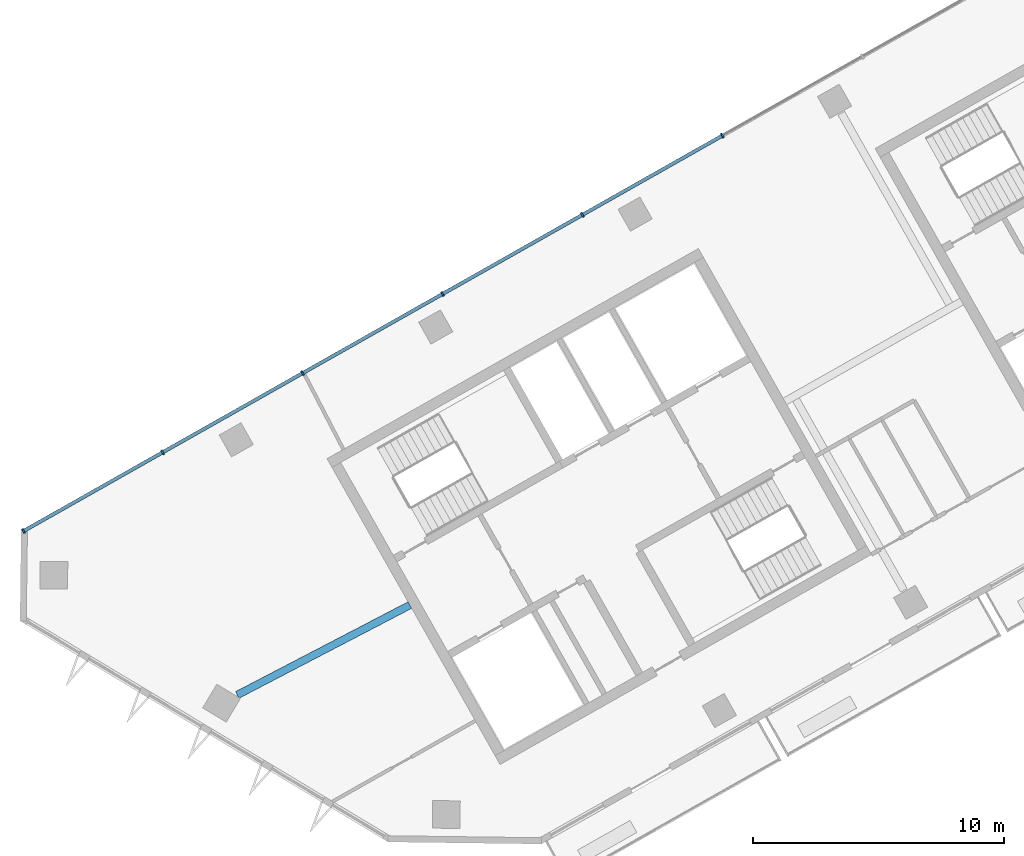
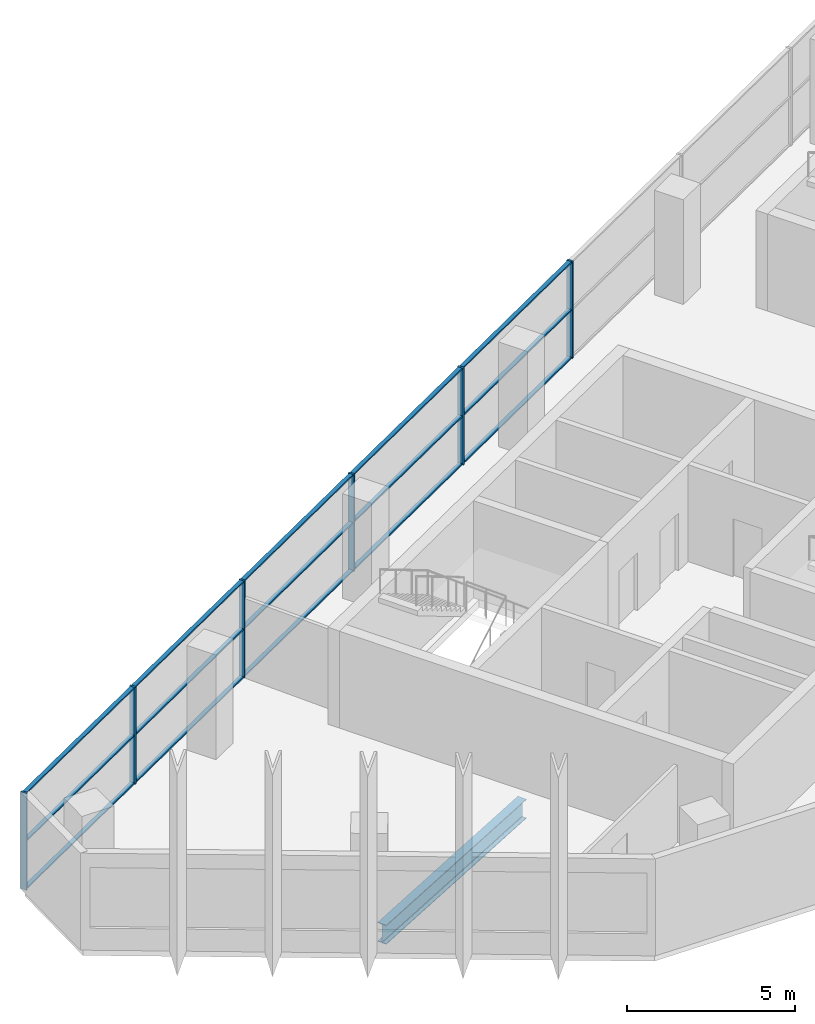
# One storey, part 2 of 10: 21 members, 1 beam, 1 element without a shape of its own.
"""IFC4 building model written with IfcOpenShell, lengths in metres."""

import ifcopenshell
import ifcopenshell.guid

model = None  # the IFC model being written
_history = None  # IfcOwnerHistory: only IFC2X3 demands one
_inside = {}  # id of a spatial element -> (the spatial element, [elements in it])
_under = {}  # id of a project, library or spatial element -> (it, [spatial elements below it])
_declared = {}  # id of a project -> (the project, [libraries it declares])
_typed = {}  # id of a type object -> (the type object, [elements of that type])
_made_of = {}  # id of a material, layer set ... -> (it, [elements and type objects made of it])


def new_model(schema):
    """Start an empty IFC model of exactly this schema.

    Asked for "IFC4X3", IfcOpenShell would pick the latest addendum, in which some entities
    have other attributes; the version numbers below select the first issue.
    IFC2X3 requires an IfcOwnerHistory on every rooted entity: one is made here for all.
    """
    global model, _history
    if schema == "IFC4X3":
        model = ifcopenshell.file(schema_version=(4, 3, 0, 0))
    else:
        model = ifcopenshell.file(schema=schema)
    _inside.clear()
    _under.clear()
    _declared.clear()
    _typed.clear()
    _made_of.clear()
    _history = None
    if model.schema == "IFC2X3":
        org = make("IfcOrganization", Name="unknown")
        user = make(
            "IfcPersonAndOrganization",
            ThePerson=make("IfcPerson", FamilyName="unknown"),
            TheOrganization=org,
        )
        app = make(
            "IfcApplication",
            ApplicationDeveloper=org,
            Version="unknown",
            ApplicationFullName="unknown",
            ApplicationIdentifier="unknown",
        )
        _history = make(
            "IfcOwnerHistory",
            OwningUser=user,
            OwningApplication=app,
            ChangeAction="ADDED",
            CreationDate=0,
        )
    return model


def make(cls, **values):
    """One entity of the class cls with the attributes given. An attribute that is None is left unset."""
    return model.create_entity(
        cls, **{name: value for name, value in values.items() if value is not None}
    )


def rooted(cls, **values):
    """An entity with a GlobalId (a new one), such as an element, a storey or a relation."""
    return make(cls, GlobalId=ifcopenshell.guid.new(), OwnerHistory=_history, **values)


def si_unit(unit_type, name, prefix=None):
    """IfcSIUnit, for example si_unit("LENGTHUNIT", "METRE", prefix="MILLI")."""
    return make("IfcSIUnit", UnitType=unit_type, Prefix=prefix, Name=name)


def assignment(units):
    """IfcUnitAssignment: the units of a project."""
    return None if units is None else make("IfcUnitAssignment", Units=units)


def point(xyz):
    """IfcCartesianPoint."""
    return None if xyz is None else make("IfcCartesianPoint", Coordinates=xyz)


def direction(xyz):
    """IfcDirection."""
    return None if xyz is None else make("IfcDirection", DirectionRatios=xyz)


def frame(location, z_axis=None, x_axis=None):
    """IfcAxis2Placement3D, a coordinate frame: its origin and axes. An axis left out is left unset."""
    return make(
        "IfcAxis2Placement3D",
        Location=point(location),
        Axis=direction(z_axis),
        RefDirection=direction(x_axis),
    )


def frame_2d(location, x_axis=None):
    """IfcAxis2Placement2D, a coordinate frame in the plane: its origin and x axis."""
    return make(
        "IfcAxis2Placement2D", Location=point(location), RefDirection=direction(x_axis)
    )


def origin():
    """The frame at (0, 0, 0) with its axes left unset."""
    return frame((0.0, 0.0, 0.0))


def origin_2d():
    """The frame at (0, 0) in the plane with its x axis left unset."""
    return frame_2d((0.0, 0.0))


def place(relative_to, where):
    """IfcLocalPlacement: puts the frame where relative to a parent placement (None: the world)."""
    return make(
        "IfcLocalPlacement", PlacementRelTo=relative_to, RelativePlacement=where
    )


def context(
    kind, dimensions, precision=None, world=None, true_north=None, identifier=None
):
    """IfcGeometricRepresentationContext, for example the 3D "Model" context."""
    return make(
        "IfcGeometricRepresentationContext",
        ContextIdentifier=identifier,
        ContextType=kind,
        CoordinateSpaceDimension=dimensions,
        Precision=precision,
        WorldCoordinateSystem=world,
        TrueNorth=true_north,
    )


def subcontext(parent, identifier, kind, view, scale=None):
    """IfcGeometricRepresentationSubContext, for example "Body" below "Model"."""
    return make(
        "IfcGeometricRepresentationSubContext",
        ContextIdentifier=identifier,
        ContextType=kind,
        ParentContext=parent,
        TargetScale=scale,
        TargetView=view,
    )


def project(units=None, contexts=None):
    """IfcProject with its units and contexts."""
    return rooted(
        "IfcProject",
        Name="project",
        RepresentationContexts=contexts,
        UnitsInContext=assignment(units),
    )


def spatial(cls, under=None, at=None, **own):
    """A site, building, storey or space (cls), placed at a placement, below another one or the project."""
    s = rooted(cls, ObjectPlacement=at, **own)
    if under is not None:
        _under.setdefault(under.id(), (under, []))[1].append(s)
    return s


def profile(cls, at=None, kind="AREA", **sizes):
    """A parametric profile (cls). Its sizes go by their IFC names, for example OverallWidth=200.0."""
    return make(cls, ProfileType=kind, Position=at, **sizes)


def rectangle(**sizes):
    """IfcRectangleProfileDef."""
    return profile("IfcRectangleProfileDef", **sizes)


def i_section(**sizes):
    """IfcIShapeProfileDef."""
    return profile("IfcIShapeProfileDef", **sizes)


def extrude(swept, where, along, depth):
    """IfcExtrudedAreaSolid: the profile swept, set in the frame where, extruded along a direction by depth."""
    return make(
        "IfcExtrudedAreaSolid",
        SweptArea=swept,
        Position=where,
        ExtrudedDirection=direction(along),
        Depth=depth,
    )


def shape(context_of_items, identifier, shape_type, items):
    """IfcShapeRepresentation: the items that make up one representation, for example the "Body"."""
    return make(
        "IfcShapeRepresentation",
        ContextOfItems=context_of_items,
        RepresentationIdentifier=identifier,
        RepresentationType=shape_type,
        Items=items,
    )


def material(Name=None, Category=None):
    """IfcMaterial."""
    return make("IfcMaterial", Name=Name, Category=Category)


def material_profile(
    of_material, cross_section, Name=None, Category=None, Priority=None
):
    """IfcMaterialProfile: a cross section and its material."""
    return make(
        "IfcMaterialProfile",
        Name=Name,
        Material=of_material,
        Profile=cross_section,
        Priority=Priority,
        Category=Category,
    )


def profile_set(profiles, Name=None, composite=None):
    """IfcMaterialProfileSet."""
    return make(
        "IfcMaterialProfileSet",
        Name=Name,
        MaterialProfiles=profiles,
        CompositeProfile=composite,
    )


def made_of(thing, what):
    """Note that an element or type object is made of a material, layer set ...; save() writes the relation."""
    if what is not None:
        _made_of.setdefault(what.id(), (what, []))[1].append(thing)
    return thing


def type_object(cls, material=None, **own):
    """A type object (cls), such as IfcWallType, which elements share."""
    return made_of(rooted(cls, **own), material)


def element(
    cls,
    number,
    at=None,
    inside=None,
    cuts=None,
    type_object=None,
    material=None,
    context=None,
    identifier="Body",
    shape_type=None,
    held_by="IfcProductDefinitionShape",
    body=None,
    shapes=None,
    **own,
):
    """One element of the class cls, such as IfcWall. Its Tag is "e" and its number.

    at: its placement. inside: the storey or other place that contains it. cuts: it is an
    opening in that element (IfcRelVoidsElement). A single representation is given by context,
    identifier, shape_type and body (its items); several are given by shapes. held_by: the class
    of the entity that holds the representations. save() writes the other relations.
    """
    e = rooted(cls, Tag="e%d" % number, ObjectPlacement=at, **own)
    if body is not None:
        shapes = [shape(context, identifier, shape_type, body)]
    if shapes is not None:
        e.Representation = make(held_by, Representations=shapes)
    if inside is not None:
        _inside.setdefault(inside.id(), (inside, []))[1].append(e)
    if cuts is not None:
        rooted(
            "IfcRelVoidsElement", RelatingBuildingElement=cuts, RelatedOpeningElement=e
        )
    if type_object is not None:
        _typed.setdefault(type_object.id(), (type_object, []))[1].append(e)
    return made_of(e, material)


def aggregate(whole, parts):
    """IfcRelAggregates: a whole, such as a stair, and the parts it consists of."""
    return rooted("IfcRelAggregates", RelatingObject=whole, RelatedObjects=parts)


def save(model, path):
    """Write the relations noted so far, then the file.

    IfcRelAggregates (storeys below a building ...), IfcRelContainedInSpatialStructure (elements
    in a storey), IfcRelDefinesByType, IfcRelAssociatesMaterial and IfcRelDeclares: one each for
    every whole, place, type object, material and project.
    """
    for whole, parts in _under.values():
        aggregate(whole, parts)
    for where, things in _inside.values():
        rooted(
            "IfcRelContainedInSpatialStructure",
            RelatedElements=things,
            RelatingStructure=where,
        )
    for kind, things in _typed.values():
        rooted("IfcRelDefinesByType", RelatedObjects=things, RelatingType=kind)
    for what, things in _made_of.values():
        rooted("IfcRelAssociatesMaterial", RelatedObjects=things, RelatingMaterial=what)
    for by, libraries in _declared.values():
        rooted("IfcRelDeclares", RelatingContext=by, RelatedDefinitions=libraries)
    model.write(path)


model = new_model("IFC4")

# Units and contexts
model_context = context("Model", 3, precision=1e-05, world=origin(), true_north=direction((0.0, 1.0)))
body_context = subcontext(model_context, "Body", "Model", "MODEL_VIEW")
ifc_project = project(units=[si_unit("LENGTHUNIT", "METRE"), si_unit("AREAUNIT", "SQUARE_METRE"), si_unit("VOLUMEUNIT", "CUBIC_METRE"), si_unit("PLANEANGLEUNIT", "RADIAN"), si_unit("MASSUNIT", "GRAM", prefix="KILO")], contexts=[model_context])

# Site, building, storey
site_placement = place(None, origin())
site = spatial("IfcSite", under=ifc_project, at=site_placement, CompositionType="ELEMENT")
building_placement = place(site_placement, origin())
building = spatial("IfcBuilding", under=site, at=building_placement, Name="Binnacle Exchange Tower", CompositionType="ELEMENT")
storey_placement = place(building_placement, frame((0.0, 0.0, 316.5)))
storey = spatial("IfcBuildingStorey", under=building, at=storey_placement, Name="L71", CompositionType="ELEMENT", Elevation=316.5)

# Curtain wall, members
ifc_material_1 = material(Name="Bronze anodised aluminium frame", Category="aluminium")
curtain_wall_type = type_object("IfcCurtainWallType", Name="External wall - curtain wall executive floors", PredefinedType="NOTDEFINED", material=ifc_material_1)
curtain_wall_placement = place(storey_placement, origin())
curtain_wall = element("IfcCurtainWall", 1, at=curtain_wall_placement, inside=storey, type_object=curtain_wall_type, Name="External wall curtain wall CW4-H03 L71", PredefinedType="NOTDEFINED")
ifc_material_profile_1 = material_profile(ifc_material_1, rectangle(XDim=0.199951171875, YDim=0.070068359375, at=origin_2d()), Name="AL 70x200")
ifc_profile_set_1 = profile_set([ifc_material_profile_1], Name="Bronze anodised aluminium frame")
member_type_1 = type_object("IfcMemberType", Name="CW4 MULLION 70x200", PredefinedType="MULLION", material=ifc_profile_set_1)
member_1_placement = place(storey_placement, frame((-30.85791015625, 54.541259765625, 0.0), z_axis=(0.0, 0.0, 1.0), x_axis=(0.492423763019, -0.870355581136, 0.0)))
member_1 = element("IfcMember", 2, at=member_1_placement, type_object=member_type_1, Name="CW4-H03 mullion 6", PredefinedType="MULLION", context=body_context, shape_type="SweptSolid", body=[
    extrude(rectangle(XDim=0.199951171875, YDim=0.070068359375, at=origin_2d()), origin(), (0.0, 0.0, 1.0), 3.52001953125),
])
member_2_placement = place(storey_placement, frame((-36.432861328125, 51.38720703125, 0.0), z_axis=(0.0, 0.0, 1.0), x_axis=(0.492423763019, -0.870355581136, 0.0)))
member_2 = element("IfcMember", 3, at=member_2_placement, type_object=member_type_1, Name="CW4-H03 mullion 7", PredefinedType="MULLION", context=body_context, shape_type="SweptSolid", body=[
    extrude(rectangle(XDim=0.199951171875, YDim=0.070068359375, at=origin_2d()), origin(), (0.0, 0.0, 1.0), 3.52001953125),
])
member_3_placement = place(storey_placement, frame((-42.0078125, 48.233154296875, 0.0), z_axis=(0.0, 0.0, 1.0), x_axis=(0.492423763019, -0.870355581136, 0.0)))
member_3 = element("IfcMember", 4, at=member_3_placement, type_object=member_type_1, Name="CW4-H03 mullion 8", PredefinedType="MULLION", context=body_context, shape_type="SweptSolid", body=[
    extrude(rectangle(XDim=0.199951171875, YDim=0.070068359375, at=origin_2d()), origin(), (0.0, 0.0, 1.0), 3.52001953125),
])
member_4_placement = place(storey_placement, frame((-47.58251953125, 45.0791015625, 0.0), z_axis=(0.0, 0.0, 1.0), x_axis=(0.492423763019, -0.870355581136, 0.0)))
member_4 = element("IfcMember", 5, at=member_4_placement, type_object=member_type_1, Name="CW4-H03 mullion 9", PredefinedType="MULLION", context=body_context, shape_type="SweptSolid", body=[
    extrude(rectangle(XDim=0.199951171875, YDim=0.070068359375, at=origin_2d()), origin(), (0.0, 0.0, 1.0), 3.52001953125),
])
member_5_placement = place(storey_placement, frame((-53.157470703125, 41.9248046875, 0.0), z_axis=(0.0, 0.0, 1.0), x_axis=(0.492423763019, -0.870355581136, 0.0)))
member_5 = element("IfcMember", 6, at=member_5_placement, type_object=member_type_1, Name="CW4-H03 mullion 10", PredefinedType="MULLION", context=body_context, shape_type="SweptSolid", body=[
    extrude(rectangle(XDim=0.199951171875, YDim=0.070068359375, at=origin_2d()), origin(), (0.0, 0.0, 1.0), 3.52001953125),
])
member_6_placement = place(storey_placement, frame((-58.701904296875, 38.7880859375, 0.0), z_axis=(0.0, 0.0, 1.0), x_axis=(0.492423763019, -0.870355581136, 0.0)))
member_6 = element("IfcMember", 7, at=member_6_placement, type_object=member_type_1, Name="CW4-H03 mullion 11", PredefinedType="MULLION", context=body_context, shape_type="SweptSolid", body=[
    extrude(rectangle(XDim=0.199951171875, YDim=0.070068359375, at=origin_2d()), origin(), (0.0, 0.0, 1.0), 3.52001953125),
])
ifc_material_profile_2 = material_profile(ifc_material_1, rectangle(XDim=0.139892578125, YDim=0.050048828125, at=origin_2d()), Name="AL 140x50")
ifc_profile_set_2 = profile_set([ifc_material_profile_2], Name="Bronze anodised aluminium frame")
member_type_2 = type_object("IfcMemberType", Name="CW4 TRANSOM 50x140", PredefinedType="USERDEFINED", material=ifc_profile_set_2)
member_7_placement = place(storey_placement, frame((-30.888427734375, 54.524169921875, 0.02490234375), z_axis=(-0.870355335808, -0.492424196633, 0.0), x_axis=(0.492424196633, -0.870355335808, 0.0)))
member_7 = element("IfcMember", 8, at=member_7_placement, type_object=member_type_2, Name="CW4-H03 transom 6.1", ObjectType="TRANSOM", PredefinedType="USERDEFINED", context=body_context, shape_type="SweptSolid", body=[
    extrude(rectangle(XDim=0.139892578125, YDim=0.050048828125, at=origin_2d()), origin(), (0.0, 0.0, 1.0), 6.335205078125),
])
member_8_placement = place(storey_placement, frame((-30.888427734375, 54.524169921875, 1.760009765625), z_axis=(-0.870355335808, -0.492424196633, 0.0), x_axis=(0.492424196633, -0.870355335808, 0.0)))
member_8 = element("IfcMember", 9, at=member_8_placement, type_object=member_type_2, Name="CW4-H03 transom 6.2", ObjectType="TRANSOM", PredefinedType="USERDEFINED", context=body_context, shape_type="SweptSolid", body=[
    extrude(rectangle(XDim=0.139892578125, YDim=0.050048828125, at=origin_2d()), origin(), (0.0, 0.0, 1.0), 6.335205078125),
])
member_9_placement = place(storey_placement, frame((-30.888427734375, 54.524169921875, 3.4951171875), z_axis=(-0.870355335808, -0.492424196633, 0.0), x_axis=(0.492424196633, -0.870355335808, 0.0)))
member_9 = element("IfcMember", 10, at=member_9_placement, type_object=member_type_2, Name="CW4-H03 transom 6.3", ObjectType="TRANSOM", PredefinedType="USERDEFINED", context=body_context, shape_type="SweptSolid", body=[
    extrude(rectangle(XDim=0.139892578125, YDim=0.050048828125, at=origin_2d()), origin(), (0.0, 0.0, 1.0), 6.335205078125),
])
member_10_placement = place(storey_placement, frame((-36.46337890625, 51.3701171875, 0.02490234375), z_axis=(-0.870338819343, -0.492453388195, 0.0), x_axis=(0.492453388195, -0.870338819343, 0.0)))
member_10 = element("IfcMember", 11, at=member_10_placement, type_object=member_type_2, Name="CW4-H03 transom 7.1", ObjectType="TRANSOM", PredefinedType="USERDEFINED", context=body_context, shape_type="SweptSolid", body=[
    extrude(rectangle(XDim=0.139892578125, YDim=0.050048828125, at=origin_2d()), origin(), (0.0, 0.0, 1.0), 6.33544921875),
])
member_11_placement = place(storey_placement, frame((-36.46337890625, 51.3701171875, 1.760009765625), z_axis=(-0.870338819343, -0.492453388195, 0.0), x_axis=(0.492453388195, -0.870338819343, 0.0)))
member_11 = element("IfcMember", 12, at=member_11_placement, type_object=member_type_2, Name="CW4-H03 transom 7.2", ObjectType="TRANSOM", PredefinedType="USERDEFINED", context=body_context, shape_type="SweptSolid", body=[
    extrude(rectangle(XDim=0.139892578125, YDim=0.050048828125, at=origin_2d()), origin(), (0.0, 0.0, 1.0), 6.33544921875),
])
member_12_placement = place(storey_placement, frame((-36.46337890625, 51.3701171875, 3.4951171875), z_axis=(-0.870338819343, -0.492453388195, 0.0), x_axis=(0.492453388195, -0.870338819343, 0.0)))
member_12 = element("IfcMember", 13, at=member_12_placement, type_object=member_type_2, Name="CW4-H03 transom 7.3", ObjectType="TRANSOM", PredefinedType="USERDEFINED", context=body_context, shape_type="SweptSolid", body=[
    extrude(rectangle(XDim=0.139892578125, YDim=0.050048828125, at=origin_2d()), origin(), (0.0, 0.0, 1.0), 6.33544921875),
])
member_13_placement = place(storey_placement, frame((-42.0380859375, 48.2158203125, 0.02490234375), z_axis=(-0.870355335808, -0.492424196633, 0.0), x_axis=(0.492424196633, -0.870355335808, 0.0)))
member_13 = element("IfcMember", 14, at=member_13_placement, type_object=member_type_2, Name="CW4-H03 transom 8.1", ObjectType="TRANSOM", PredefinedType="USERDEFINED", context=body_context, shape_type="SweptSolid", body=[
    extrude(rectangle(XDim=0.139892578125, YDim=0.050048828125, at=origin_2d()), origin(), (0.0, 0.0, 1.0), 6.335205078125),
])
member_14_placement = place(storey_placement, frame((-42.0380859375, 48.2158203125, 1.760009765625), z_axis=(-0.870355335808, -0.492424196633, 0.0), x_axis=(0.492424196633, -0.870355335808, 0.0)))
member_14 = element("IfcMember", 15, at=member_14_placement, type_object=member_type_2, Name="CW4-H03 transom 8.2", ObjectType="TRANSOM", PredefinedType="USERDEFINED", context=body_context, shape_type="SweptSolid", body=[
    extrude(rectangle(XDim=0.139892578125, YDim=0.050048828125, at=origin_2d()), origin(), (0.0, 0.0, 1.0), 6.335205078125),
])
member_15_placement = place(storey_placement, frame((-42.0380859375, 48.2158203125, 3.4951171875), z_axis=(-0.870355335808, -0.492424196633, 0.0), x_axis=(0.492424196633, -0.870355335808, 0.0)))
member_15 = element("IfcMember", 16, at=member_15_placement, type_object=member_type_2, Name="CW4-H03 transom 8.3", ObjectType="TRANSOM", PredefinedType="USERDEFINED", context=body_context, shape_type="SweptSolid", body=[
    extrude(rectangle(XDim=0.139892578125, YDim=0.050048828125, at=origin_2d()), origin(), (0.0, 0.0, 1.0), 6.335205078125),
])
member_16_placement = place(storey_placement, frame((-47.613037109375, 45.061767578125, 0.02490234375), z_axis=(-0.870355335808, -0.492424196633, 0.0), x_axis=(0.492424196633, -0.870355335808, 0.0)))
member_16 = element("IfcMember", 17, at=member_16_placement, type_object=member_type_2, Name="CW4-H03 transom 9.1", ObjectType="TRANSOM", PredefinedType="USERDEFINED", context=body_context, shape_type="SweptSolid", body=[
    extrude(rectangle(XDim=0.139892578125, YDim=0.050048828125, at=origin_2d()), origin(), (0.0, 0.0, 1.0), 6.335205078125),
])
member_17_placement = place(storey_placement, frame((-47.613037109375, 45.061767578125, 1.760009765625), z_axis=(-0.870355335808, -0.492424196633, 0.0), x_axis=(0.492424196633, -0.870355335808, 0.0)))
member_17 = element("IfcMember", 18, at=member_17_placement, type_object=member_type_2, Name="CW4-H03 transom 9.2", ObjectType="TRANSOM", PredefinedType="USERDEFINED", context=body_context, shape_type="SweptSolid", body=[
    extrude(rectangle(XDim=0.139892578125, YDim=0.050048828125, at=origin_2d()), origin(), (0.0, 0.0, 1.0), 6.335205078125),
])
member_18_placement = place(storey_placement, frame((-47.613037109375, 45.061767578125, 3.4951171875), z_axis=(-0.870355335808, -0.492424196633, 0.0), x_axis=(0.492424196633, -0.870355335808, 0.0)))
member_18 = element("IfcMember", 19, at=member_18_placement, type_object=member_type_2, Name="CW4-H03 transom 9.3", ObjectType="TRANSOM", PredefinedType="USERDEFINED", context=body_context, shape_type="SweptSolid", body=[
    extrude(rectangle(XDim=0.139892578125, YDim=0.050048828125, at=origin_2d()), origin(), (0.0, 0.0, 1.0), 6.335205078125),
])
member_19_placement = place(storey_placement, frame((-53.18798828125, 41.90771484375, 0.02490234375), z_axis=(-0.870343349272, -0.492445382126, 0.0), x_axis=(0.492445382126, -0.870343349272, 0.0)))
member_19 = element("IfcMember", 20, at=member_19_placement, type_object=member_type_2, Name="CW4-H03 transom 10.1", ObjectType="TRANSOM", PredefinedType="USERDEFINED", context=body_context, shape_type="SweptSolid", body=[
    extrude(rectangle(XDim=0.139892578125, YDim=0.050048828125, at=origin_2d()), origin(), (0.0, 0.0, 1.0), 6.30029296875),
])
member_20_placement = place(storey_placement, frame((-53.18798828125, 41.90771484375, 1.760009765625), z_axis=(-0.870343349272, -0.492445382126, 0.0), x_axis=(0.492445382126, -0.870343349272, 0.0)))
member_20 = element("IfcMember", 21, at=member_20_placement, type_object=member_type_2, Name="CW4-H03 transom 10.2", ObjectType="TRANSOM", PredefinedType="USERDEFINED", context=body_context, shape_type="SweptSolid", body=[
    extrude(rectangle(XDim=0.139892578125, YDim=0.050048828125, at=origin_2d()), origin(), (0.0, 0.0, 1.0), 6.30029296875),
])
member_21_placement = place(storey_placement, frame((-53.18798828125, 41.90771484375, 3.4951171875), z_axis=(-0.870343349272, -0.492445382126, 0.0), x_axis=(0.492445382126, -0.870343349272, 0.0)))
member_21 = element("IfcMember", 22, at=member_21_placement, type_object=member_type_2, Name="CW4-H03 transom 10.3", ObjectType="TRANSOM", PredefinedType="USERDEFINED", context=body_context, shape_type="SweptSolid", body=[
    extrude(rectangle(XDim=0.139892578125, YDim=0.050048828125, at=origin_2d()), origin(), (0.0, 0.0, 1.0), 6.30029296875),
])
aggregate(curtain_wall, [member_1, member_2, member_3, member_4, member_5, member_6, member_7, member_8, member_9, member_10, member_11, member_12, member_13, member_14, member_15, member_16, member_17, member_18, member_19, member_20, member_21])

# Beam
ifc_material_2 = material(Name="Steel S355 (SHN355)", Category="steel")
ifc_material_profile_3 = material_profile(ifc_material_2, i_section(OverallWidth=0.300048828125, OverallDepth=0.699951171875, WebThickness=0.012939453125, FlangeThickness=0.02392578125, FilletRadius=0.028076171875, at=origin_2d()), Name="H 700x300x13x24")
ifc_profile_set_3 = profile_set([ifc_material_profile_3], Name="Steel S355 (SHN355)")
beam_type = type_object("IfcBeamType", Name="Spine girder H 700x300x13x24 Steel S355 (SHN355)", PredefinedType="BEAM", material=ifc_profile_set_3)
beam_placement = place(storey_placement, frame((-50.18798828125, 32.255859375, -0.6298828125), z_axis=(0.886980159322, 0.461807532387, 0.0), x_axis=(-0.461807532387, 0.886980159322, 0.0)))
element("IfcBeam", 23, at=beam_placement, inside=storey, type_object=beam_type, Name="S:BM:spine:L71:001", PredefinedType="BEAM", context=body_context, shape_type="SweptSolid", body=[
    extrude(i_section(OverallWidth=0.300048828125, OverallDepth=0.699951171875, WebThickness=0.012939453125, FlangeThickness=0.02392578125, FilletRadius=0.028076171875, at=origin_2d()), origin(), (0.0, 0.0, 1.0), 7.757080078125),
])

save(model, "model.ifc")
